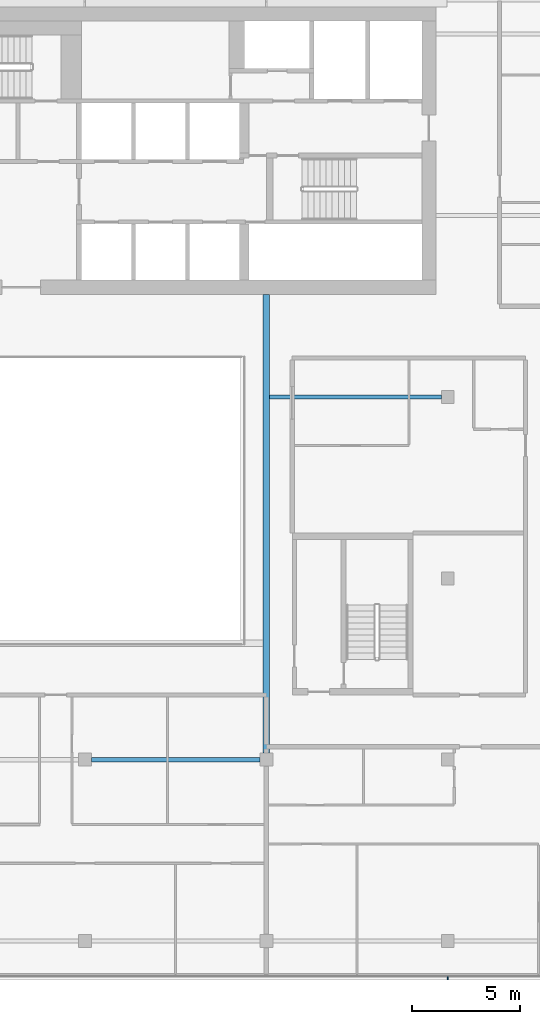
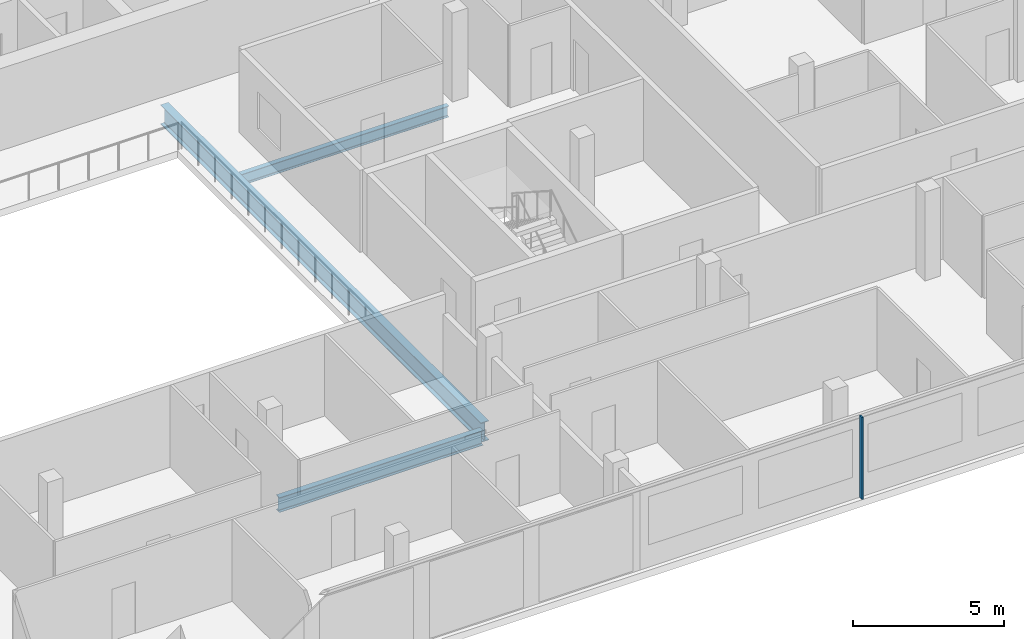
# One storey, part 6 of 28: 3 beams, 1 member, 1 element without a shape of its own.
"""IFC4 building model written with IfcOpenShell, lengths in metres."""

from ifc_helpers import new_model, si_unit, direction, frame, origin, origin_2d, place, context, subcontext, project, spatial, rectangle, i_section, extrude, material, material_profile, profile_set, type_object, element, aggregate, save


model = new_model("IFC4")

# Units and contexts
model_context = context("Model", 3, precision=1e-05, world=origin(), true_north=direction((0.0, 1.0)))
body_context = subcontext(model_context, "Body", "Model", "MODEL_VIEW")
ifc_project = project(units=[si_unit("LENGTHUNIT", "METRE"), si_unit("AREAUNIT", "SQUARE_METRE"), si_unit("VOLUMEUNIT", "CUBIC_METRE"), si_unit("PLANEANGLEUNIT", "RADIAN"), si_unit("MASSUNIT", "GRAM", prefix="KILO")], contexts=[model_context])

# Site, building, storey
site_placement = place(None, origin())
site = spatial("IfcSite", under=ifc_project, at=site_placement, CompositionType="ELEMENT")
building_placement = place(site_placement, origin())
building = spatial("IfcBuilding", under=site, at=building_placement, Name="Saffron Gate Tower", CompositionType="ELEMENT")
storey_placement = place(building_placement, frame((0.0, 0.0, 241.5)))
storey = spatial("IfcBuildingStorey", under=building, at=storey_placement, Name="L59", CompositionType="ELEMENT", Elevation=241.5)

# Beams
ifc_material_1 = material(Name="Structural steel S355", Category="steel")
ifc_material_profile_1 = material_profile(ifc_material_1, i_section(OverallWidth=0.219970703125, OverallDepth=0.60009765625, WebThickness=0.011962890625, FlangeThickness=0.01904296875, FilletRadius=0.02392578125, at=origin_2d()))
ifc_profile_set_1 = profile_set([ifc_material_profile_1], Name="Structural steel S355")
beam_type_1 = type_object("IfcBeamType", Name="B15 IPE 600", PredefinedType="BEAM", material=ifc_profile_set_1)
beam_1_placement = place(storey_placement, frame((92.10009765625, 40.199951171875, -0.580078125), z_axis=(1.0, 0.0, 0.0), x_axis=(0.0, 1.0, 0.0)))
element("IfcBeam", 1, at=beam_1_placement, inside=storey, type_object=beam_type_1, Name="B15 FLOOR GIRDER", PredefinedType="BEAM", context=body_context, shape_type="SweptSolid", body=[
    extrude(i_section(OverallWidth=0.219970703125, OverallDepth=0.60009765625, WebThickness=0.011962890625, FlangeThickness=0.01904296875, FilletRadius=0.02392578125, at=origin_2d()), origin(), (0.0, 0.0, 1.0), 7.7998046875),
])
ifc_material_profile_2 = material_profile(ifc_material_1, i_section(OverallWidth=0.300048828125, OverallDepth=0.7900390625, WebThickness=0.014892578125, FlangeThickness=0.028076171875, FilletRadius=0.030029296875, at=origin_2d()))
ifc_profile_set_2 = profile_set([ifc_material_profile_2], Name="Structural steel S355")
beam_type_2 = type_object("IfcBeamType", Name="B18 HEA 800", PredefinedType="BEAM", material=ifc_profile_set_2)
beam_2_placement = place(storey_placement, frame((100.199951171875, 40.5, -0.675048828125), z_axis=(0.0, 1.0, 0.0), x_axis=(-1.0, 0.0, 0.0)))
element("IfcBeam", 2, at=beam_2_placement, inside=storey, type_object=beam_type_2, Name="B18 ATRIUM GIRDER", PredefinedType="BEAM", context=body_context, shape_type="SweptSolid", body=[
    extrude(i_section(OverallWidth=0.300048828125, OverallDepth=0.7900390625, WebThickness=0.014892578125, FlangeThickness=0.028076171875, FilletRadius=0.030029296875, at=origin_2d()), origin(), (0.0, 0.0, 1.0), 21.25),
])
ifc_material_profile_3 = material_profile(ifc_material_1, i_section(OverallWidth=0.18994140625, OverallDepth=0.449951171875, WebThickness=0.009521484375, FlangeThickness=0.0146484375, FilletRadius=0.02099609375, at=origin_2d()))
ifc_profile_set_3 = profile_set([ifc_material_profile_3], Name="Structural steel S355")
beam_type_3 = type_object("IfcBeamType", Name="B6 IPE 450", PredefinedType="BEAM", material=ifc_profile_set_3)
beam_3_placement = place(storey_placement, frame((108.300048828125, 57.0, -0.5048828125), z_axis=(-1.0, 0.0, 0.0), x_axis=(0.0, -1.0, 0.0)))
element("IfcBeam", 3, at=beam_3_placement, inside=storey, type_object=beam_type_3, Name="B6 CORE TIE BEAM", PredefinedType="BEAM", context=body_context, shape_type="SweptSolid", body=[
    extrude(i_section(OverallWidth=0.18994140625, OverallDepth=0.449951171875, WebThickness=0.009521484375, FlangeThickness=0.0146484375, FilletRadius=0.02099609375, at=origin_2d()), origin(), (0.0, 0.0, 1.0), 7.949951171875),
])

# Curtain wall, member
ifc_material_2 = material(Name="Aluminium, bronze anodised", Category="aluminium")
curtain_wall_type = type_object("IfcCurtainWallType", Name="CWS1 curtain wall front facade", PredefinedType="NOTDEFINED", material=ifc_material_2)
curtain_wall_placement = place(storey_placement, origin())
curtain_wall = element("IfcCurtainWall", 4, at=curtain_wall_placement, inside=storey, type_object=curtain_wall_type, Name="CWS1 run 1", PredefinedType="NOTDEFINED")
ifc_material_profile_4 = material_profile(ifc_material_2, rectangle(XDim=0.159912109375, YDim=0.06005859375, at=origin_2d()))
ifc_profile_set_4 = profile_set([ifc_material_profile_4], Name="Aluminium, bronze anodised")
member_type = type_object("IfcMemberType", Name="CWS1 mullion 60x160", PredefinedType="MULLION", material=ifc_profile_set_4)
member_placement = place(storey_placement, frame((108.60009765625, 30.080078125, 0.0), z_axis=(0.0, 0.0, 1.0), x_axis=(0.0, 1.0, 0.0)))
member = element("IfcMember", 5, at=member_placement, type_object=member_type, Name="CWS1 mullion 8", PredefinedType="MULLION", context=body_context, shape_type="SweptSolid", body=[
    extrude(rectangle(XDim=0.159912109375, YDim=0.06005859375, at=origin_2d()), origin(), (0.0, 0.0, 1.0), 3.320068359375),
])
aggregate(curtain_wall, [member])

save(model, "model.ifc")
